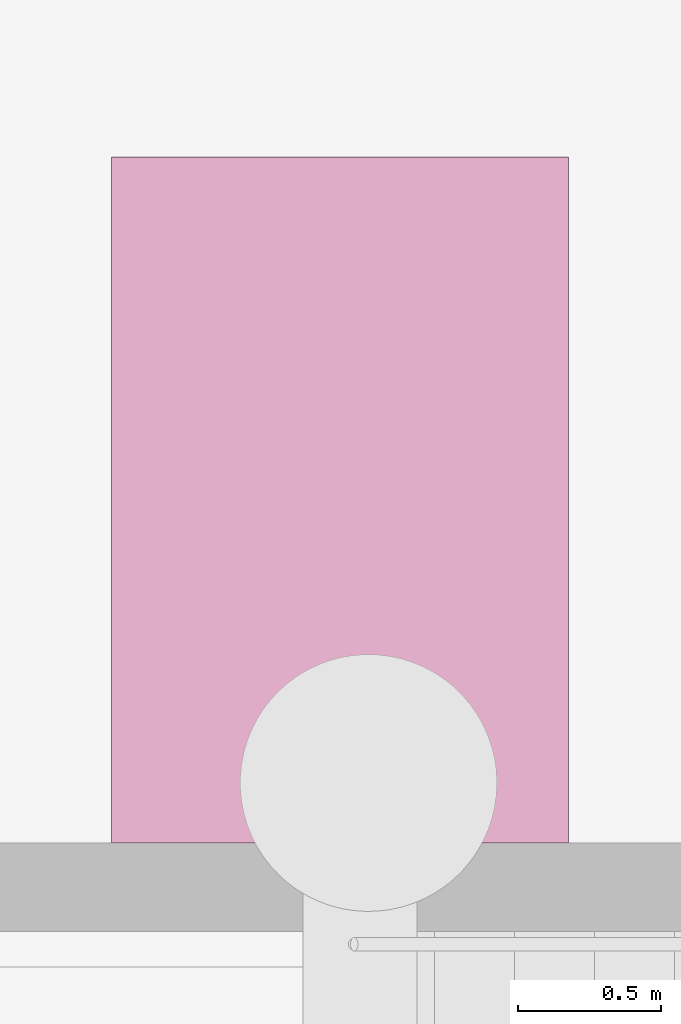
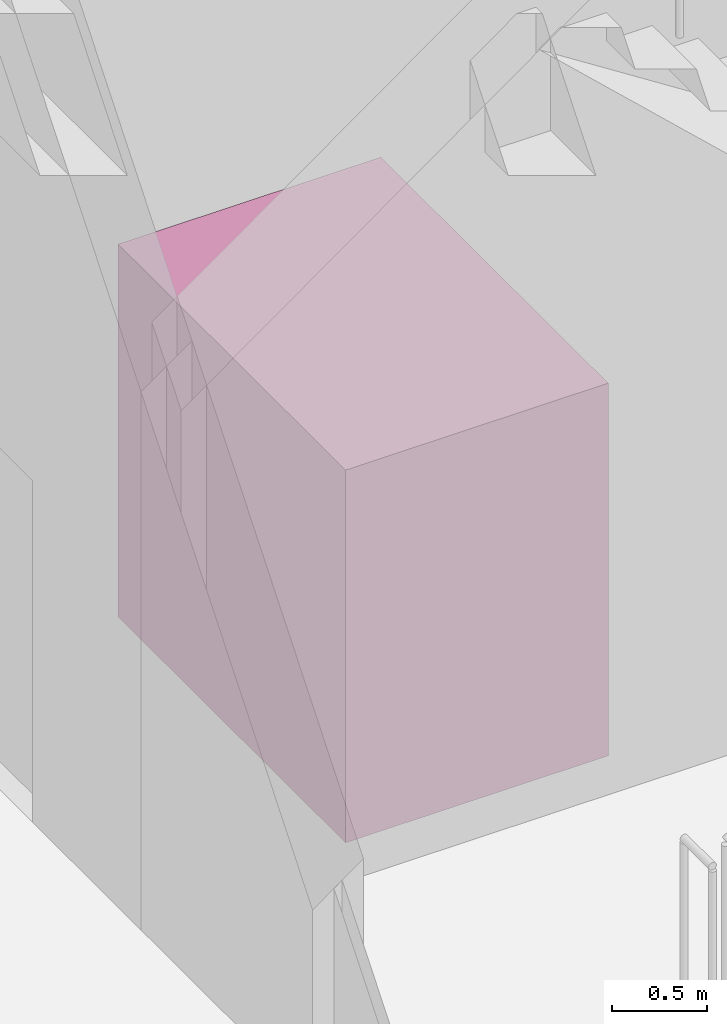
# One storey, part 52 of 52: 1 transport element.
"""IFC4 building model written with IfcOpenShell, lengths in metres."""

from ifc_helpers import new_model, si_unit, direction, frame, origin, origin_2d, place, context, subcontext, project, spatial, rectangle, extrude, material, type_object, element, save


model = new_model("IFC4")

# Units and contexts
model_context = context("Model", 3, precision=1e-05, world=origin(), true_north=direction((0.0, 1.0)))
body_context = subcontext(model_context, "Body", "Model", "MODEL_VIEW")
ifc_project = project(units=[si_unit("LENGTHUNIT", "METRE"), si_unit("AREAUNIT", "SQUARE_METRE"), si_unit("VOLUMEUNIT", "CUBIC_METRE"), si_unit("PLANEANGLEUNIT", "RADIAN"), si_unit("MASSUNIT", "GRAM", prefix="KILO")], contexts=[model_context])

# Site, building, storey
site_placement = place(None, origin())
site = spatial("IfcSite", under=ifc_project, at=site_placement, CompositionType="ELEMENT")
building_placement = place(site_placement, origin())
building = spatial("IfcBuilding", under=site, at=building_placement, Name="Parian Resonance Hall", CompositionType="ELEMENT")
storey_placement = place(building_placement, origin())
storey = spatial("IfcBuildingStorey", under=building, at=storey_placement, Name="L00", CompositionType="ELEMENT", Elevation=0.0)

# Transport element
ifc_material = material(Name="Stainless steel and bronze elevator cab", Category="steel")
transport_element_type = type_object("IfcTransportElementType", Name="LIFT-PAX-1600x2400", PredefinedType="ELEVATOR", material=ifc_material)
transport_element_placement = place(storey_placement, frame((26.3701171875, 78.864990234375, 0.0), z_axis=(0.0, 0.0, 1.0), x_axis=(1.0, 0.0, 0.0)))
element("IfcTransportElement", 1, at=transport_element_placement, inside=storey, type_object=transport_element_type, Name="Passenger lift LF-05", PredefinedType="ELEVATOR", context=body_context, shape_type="SweptSolid", body=[
    extrude(rectangle(XDim=1.60009765625, YDim=2.39990234375, at=origin_2d()), origin(), (0.0, 0.0, 1.0), 2.39990234375),
])

save(model, "model.ifc")
